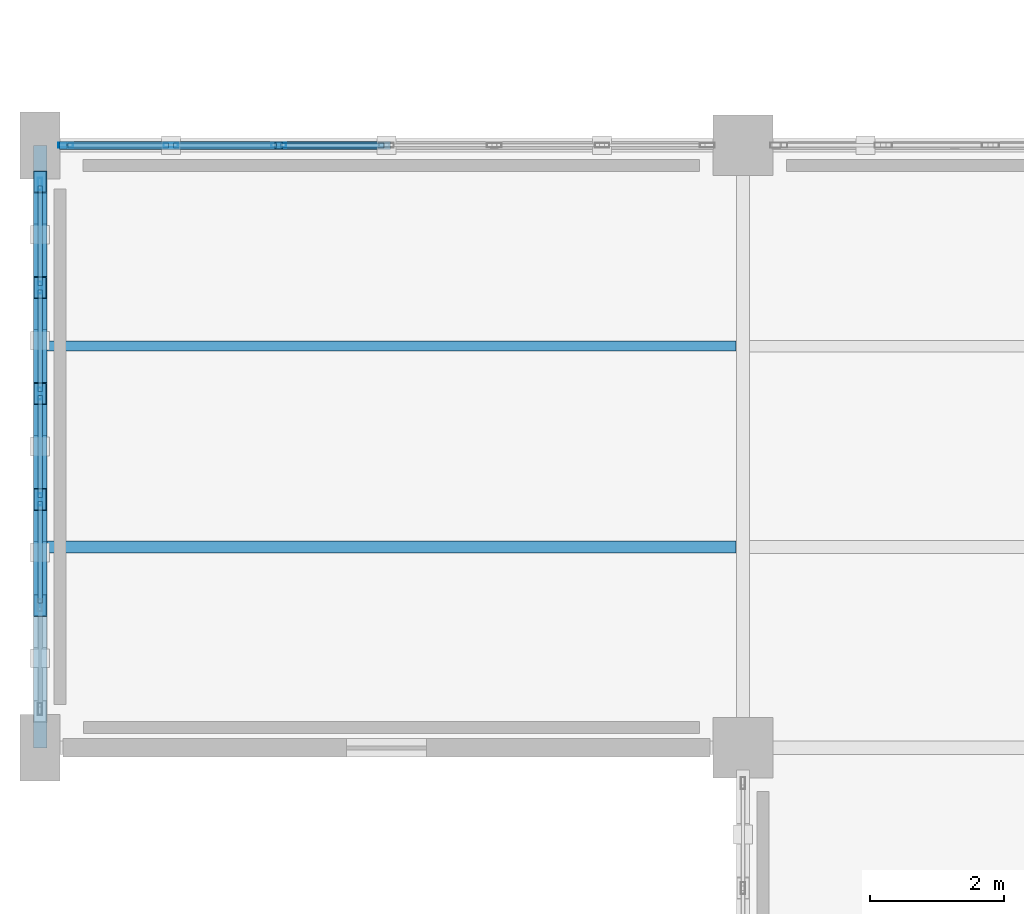
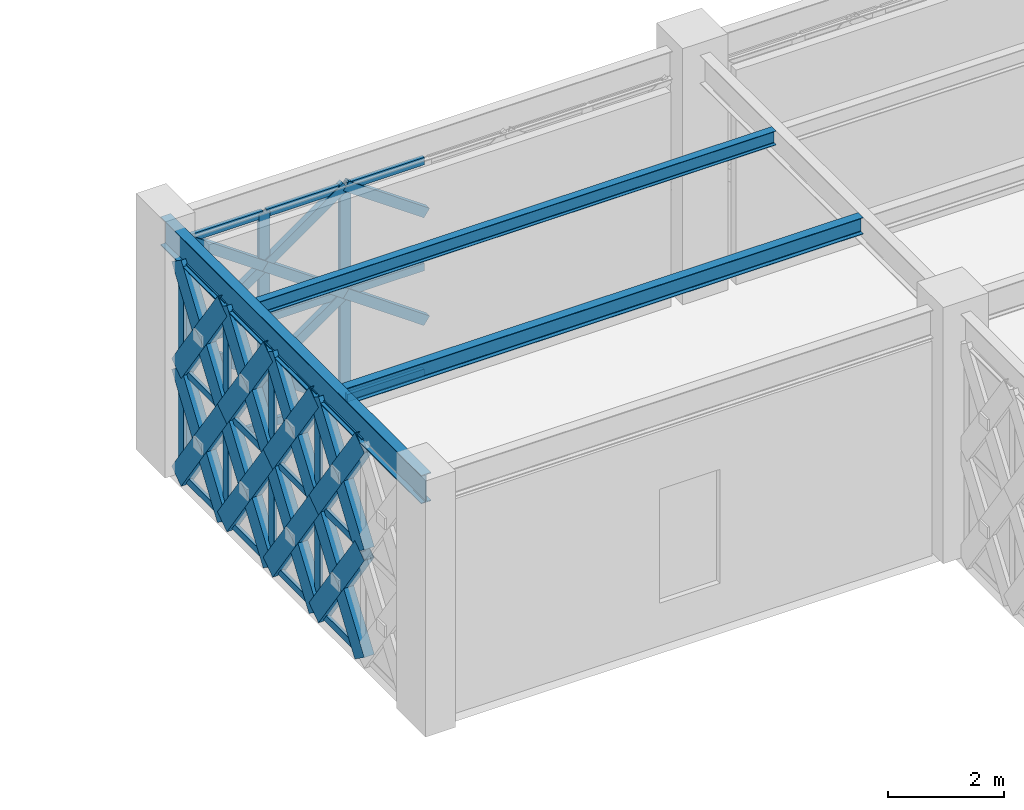
# One storey, part 14 of 166: 60 members, 3 beams, 2 elements without a shape of their own.
"""IFC4 building model written with IfcOpenShell, lengths in metres."""

from ifc_helpers import new_model, si_unit, direction, frame, origin, origin_2d, place, context, subcontext, project, spatial, hollow_rectangle, i_section, extrude, material, material_profile, profile_set, type_object, element, aggregate, save


model = new_model("IFC4")

# Units and contexts
model_context = context("Model", 3, precision=1e-05, world=origin(), true_north=direction((0.0, 1.0)))
body_context = subcontext(model_context, "Body", "Model", "MODEL_VIEW")
ifc_project = project(units=[si_unit("LENGTHUNIT", "METRE"), si_unit("AREAUNIT", "SQUARE_METRE"), si_unit("VOLUMEUNIT", "CUBIC_METRE"), si_unit("PLANEANGLEUNIT", "RADIAN"), si_unit("MASSUNIT", "GRAM", prefix="KILO")], contexts=[model_context])

# Site, building, storey
site_placement = place(None, origin())
site = spatial("IfcSite", under=ifc_project, at=site_placement, CompositionType="ELEMENT")
building_placement = place(site_placement, origin())
building = spatial("IfcBuilding", under=site, at=building_placement, Name="Haizhuo Lancet Aquarium", CompositionType="ELEMENT")
storey_placement = place(building_placement, frame((0.0, 0.0, 5.39990234375)))
storey = spatial("IfcBuildingStorey", under=building, at=storey_placement, Name="L01", CompositionType="ELEMENT", Elevation=5.39990234375)

# Beam
ifc_material_1 = material(Name="Steel S355", Category="steel")
ifc_material_profile_1 = material_profile(ifc_material_1, i_section(OverallWidth=0.199951171875, OverallDepth=0.60009765625, WebThickness=0.010986328125, FlangeThickness=0.01708984375, FilletRadius=0.02197265625, at=origin_2d()), Name="HN 600x200x11x17")
ifc_profile_set_1 = profile_set([ifc_material_profile_1], Name="Steel S355")
beam_type_1 = type_object("IfcBeamType", Name="BM-ST-HN600", PredefinedType="BEAM", material=ifc_profile_set_1)
beam_1_placement = place(storey_placement, frame((-82.5, -18.0, 4.840087890625), z_axis=(0.0, 1.0, 0.0), x_axis=(-1.0, 0.0, 0.0)))
element("IfcBeam", 1, at=beam_1_placement, inside=storey, type_object=beam_type_1, Name="L01 V6 primary girder BM-L01-V6-001", PredefinedType="BEAM", context=body_context, shape_type="SweptSolid", body=[
    extrude(i_section(OverallWidth=0.199951171875, OverallDepth=0.60009765625, WebThickness=0.010986328125, FlangeThickness=0.01708984375, FilletRadius=0.02197265625, at=origin_2d()), origin(), (0.0, 0.0, 1.0), 9.0),
])

# Curtain wall, members
ifc_material_2 = material(Name="Aluminium 6063-T6", Category="aluminium")
curtain_wall_type_1 = type_object("IfcCurtainWallType", Name="CWD-7910x4540", PredefinedType="NOTDEFINED", material=ifc_material_2)
curtain_wall_1_placement = place(storey_placement, origin())
curtain_wall_1 = element("IfcCurtainWall", 2, at=curtain_wall_1_placement, inside=storey, type_object=curtain_wall_type_1, Name="L01 curtain wall CW-V6-L01-202", PredefinedType="NOTDEFINED")
ifc_material_profile_2 = material_profile(ifc_material_2, hollow_rectangle(XDim=0.06494140625, YDim=0.179931640625, WallThickness=0.00390625, at=origin_2d()), Name="ALU-M 65x180x4")
ifc_profile_set_2 = profile_set([ifc_material_profile_2], Name="Aluminium 6063-T6")
member_type_1 = type_object("IfcMemberType", Name="CW-MUL-1", PredefinedType="MULLION", material=ifc_profile_set_2)
member_1_placement = place(storey_placement, frame((-82.5, -14.291015625, 0.0), z_axis=(0.0, 0.0, 1.0), x_axis=(-1.0, 0.0, 0.0)))
member_1 = element("IfcMember", 3, at=member_1_placement, type_object=member_type_1, Name="CWD-79x45 mullion 3", PredefinedType="MULLION", context=body_context, shape_type="SweptSolid", body=[
    extrude(hollow_rectangle(XDim=0.06494140625, YDim=0.179931640625, WallThickness=0.00390625, at=origin_2d()), origin(), (0.0, 0.0, 1.0), 4.5400390625),
])
member_2_placement = place(storey_placement, frame((-82.5, -12.708984375, 0.0), z_axis=(0.0, 0.0, 1.0), x_axis=(-1.0, 0.0, 0.0)))
member_2 = element("IfcMember", 4, at=member_2_placement, type_object=member_type_1, Name="CWD-79x45 mullion 4", PredefinedType="MULLION", context=body_context, shape_type="SweptSolid", body=[
    extrude(hollow_rectangle(XDim=0.06494140625, YDim=0.179931640625, WallThickness=0.00390625, at=origin_2d()), origin(), (0.0, 0.0, 1.0), 4.5400390625),
])
member_3_placement = place(storey_placement, frame((-82.5, -11.126953125, 0.0), z_axis=(0.0, 0.0, 1.0), x_axis=(-1.0, 0.0, 0.0)))
member_3 = element("IfcMember", 5, at=member_3_placement, type_object=member_type_1, Name="CWD-79x45 mullion 5", PredefinedType="MULLION", context=body_context, shape_type="SweptSolid", body=[
    extrude(hollow_rectangle(XDim=0.06494140625, YDim=0.179931640625, WallThickness=0.00390625, at=origin_2d()), origin(), (0.0, 0.0, 1.0), 4.5400390625),
])
member_4_placement = place(storey_placement, frame((-82.5, -9.577880859375, 0.0), z_axis=(0.0, 0.0, 1.0), x_axis=(-1.0, 0.0, 0.0)))
member_4 = element("IfcMember", 6, at=member_4_placement, type_object=member_type_1, Name="CWD-79x45 mullion 6", PredefinedType="MULLION", context=body_context, shape_type="SweptSolid", body=[
    extrude(hollow_rectangle(XDim=0.06494140625, YDim=0.179931640625, WallThickness=0.00390625, at=origin_2d()), origin(), (0.0, 0.0, 1.0), 4.5400390625),
])

curtain_wall_type_2 = type_object("IfcCurtainWallType", Name="CWO-9660x4540", PredefinedType="NOTDEFINED", material=ifc_material_2)
curtain_wall_2_placement = place(storey_placement, origin())
curtain_wall_2 = element("IfcCurtainWall", 7, at=curtain_wall_2_placement, inside=storey, type_object=curtain_wall_type_2, Name="L01 curtain wall CW-V6-L01-203", PredefinedType="NOTDEFINED")
ifc_material_profile_3 = material_profile(ifc_material_2, hollow_rectangle(XDim=0.074951171875, YDim=0.219970703125, WallThickness=0.0048828125, at=origin_2d()), Name="ALU-M 75x220x5")
ifc_profile_set_3 = profile_set([ifc_material_profile_3], Name="Aluminium 6063-T6")
member_type_2 = type_object("IfcMemberType", Name="CW-MUL-2", PredefinedType="MULLION", material=ifc_profile_set_3)
member_5_placement = place(storey_placement, frame((-82.117919921875, -9.0, 0.0), z_axis=(0.0, 0.0, 1.0), x_axis=(0.0, 1.0, 0.0)))
member_5 = element("IfcMember", 8, at=member_5_placement, type_object=member_type_2, Name="CWO-96x45 mullion 1", PredefinedType="MULLION", context=body_context, shape_type="SweptSolid", body=[
    extrude(hollow_rectangle(XDim=0.074951171875, YDim=0.219970703125, WallThickness=0.0048828125, at=origin_2d()), origin(), (0.0, 0.0, 1.0), 4.5400390625),
])
member_6_placement = place(storey_placement, frame((-80.544921875, -9.0, 0.0), z_axis=(0.0, 0.0, 1.0), x_axis=(0.0, 1.0, 0.0)))
member_6 = element("IfcMember", 9, at=member_6_placement, type_object=member_type_2, Name="CWO-96x45 mullion 2", PredefinedType="MULLION", context=body_context, shape_type="SweptSolid", body=[
    extrude(hollow_rectangle(XDim=0.074951171875, YDim=0.219970703125, WallThickness=0.0048828125, at=origin_2d()), origin(), (0.0, 0.0, 1.0), 4.5400390625),
])
member_7_placement = place(storey_placement, frame((-78.93505859375, -9.0, 0.0), z_axis=(0.0, 0.0, 1.0), x_axis=(0.0, 1.0, 0.0)))
member_7 = element("IfcMember", 10, at=member_7_placement, type_object=member_type_2, Name="CWO-96x45 mullion 3", PredefinedType="MULLION", context=body_context, shape_type="SweptSolid", body=[
    extrude(hollow_rectangle(XDim=0.074951171875, YDim=0.219970703125, WallThickness=0.0048828125, at=origin_2d()), origin(), (0.0, 0.0, 1.0), 4.5400390625),
])

# Member
ifc_material_profile_4 = material_profile(ifc_material_2, hollow_rectangle(XDim=0.06494140625, YDim=0.139892578125, WallThickness=0.00390625, at=origin_2d()), Name="ALU-T 65x140x4")
ifc_profile_set_4 = profile_set([ifc_material_profile_4], Name="Aluminium 6063-T6")
member_type_3 = type_object("IfcMemberType", Name="CW-TRN-1", PredefinedType="NOTDEFINED", material=ifc_profile_set_4)
member_8_placement = place(storey_placement, frame((-82.5, -15.840087890625, 0.033203125), z_axis=(0.0, 1.0, 0.0), x_axis=(-1.0, 0.0, 0.0)))
member_8 = element("IfcMember", 11, at=member_8_placement, type_object=member_type_3, Name="CWD-79x45 transom 2.1", ObjectType="TRANSOM", PredefinedType="USERDEFINED", context=body_context, shape_type="SweptSolid", body=[
    extrude(hollow_rectangle(XDim=0.06494140625, YDim=0.139892578125, WallThickness=0.00390625, at=origin_2d()), origin(), (0.0, 0.0, 1.0), 1.51708984375),
])

member_9_placement = place(storey_placement, frame((-82.5, -15.840087890625, 2.27001953125), z_axis=(0.0, 1.0, 0.0), x_axis=(-1.0, 0.0, 0.0)))
member_9 = element("IfcMember", 12, at=member_9_placement, type_object=member_type_3, Name="CWD-79x45 transom 2.2", ObjectType="TRANSOM", PredefinedType="USERDEFINED", context=body_context, shape_type="SweptSolid", body=[
    extrude(hollow_rectangle(XDim=0.06494140625, YDim=0.139892578125, WallThickness=0.00390625, at=origin_2d()), origin(), (0.0, 0.0, 1.0), 1.51708984375),
])

member_10_placement = place(storey_placement, frame((-82.5, -15.840087890625, 4.507080078125), z_axis=(0.0, 1.0, 0.0), x_axis=(-1.0, 0.0, 0.0)))
member_10 = element("IfcMember", 13, at=member_10_placement, type_object=member_type_3, Name="CWD-79x45 transom 2.3", ObjectType="TRANSOM", PredefinedType="USERDEFINED", context=body_context, shape_type="SweptSolid", body=[
    extrude(hollow_rectangle(XDim=0.06494140625, YDim=0.139892578125, WallThickness=0.00390625, at=origin_2d()), origin(), (0.0, 0.0, 1.0), 1.51708984375),
])

member_11_placement = place(storey_placement, frame((-82.5, -14.258056640625, 0.033203125), z_axis=(0.0, 1.0, 0.0), x_axis=(-1.0, 0.0, 0.0)))
member_11 = element("IfcMember", 14, at=member_11_placement, type_object=member_type_3, Name="CWD-79x45 transom 3.1", ObjectType="TRANSOM", PredefinedType="USERDEFINED", context=body_context, shape_type="SweptSolid", body=[
    extrude(hollow_rectangle(XDim=0.06494140625, YDim=0.139892578125, WallThickness=0.00390625, at=origin_2d()), origin(), (0.0, 0.0, 1.0), 1.51708984375),
])

member_12_placement = place(storey_placement, frame((-82.5, -14.258056640625, 2.27001953125), z_axis=(0.0, 1.0, 0.0), x_axis=(-1.0, 0.0, 0.0)))
member_12 = element("IfcMember", 15, at=member_12_placement, type_object=member_type_3, Name="CWD-79x45 transom 3.2", ObjectType="TRANSOM", PredefinedType="USERDEFINED", context=body_context, shape_type="SweptSolid", body=[
    extrude(hollow_rectangle(XDim=0.06494140625, YDim=0.139892578125, WallThickness=0.00390625, at=origin_2d()), origin(), (0.0, 0.0, 1.0), 1.51708984375),
])

member_13_placement = place(storey_placement, frame((-82.5, -14.258056640625, 4.507080078125), z_axis=(0.0, 1.0, 0.0), x_axis=(-1.0, 0.0, 0.0)))
member_13 = element("IfcMember", 16, at=member_13_placement, type_object=member_type_3, Name="CWD-79x45 transom 3.3", ObjectType="TRANSOM", PredefinedType="USERDEFINED", context=body_context, shape_type="SweptSolid", body=[
    extrude(hollow_rectangle(XDim=0.06494140625, YDim=0.139892578125, WallThickness=0.00390625, at=origin_2d()), origin(), (0.0, 0.0, 1.0), 1.51708984375),
])

member_14_placement = place(storey_placement, frame((-82.5, -12.677001953125, 0.033203125), z_axis=(0.0, 1.0, 0.0), x_axis=(-1.0, 0.0, 0.0)))
member_14 = element("IfcMember", 17, at=member_14_placement, type_object=member_type_3, Name="CWD-79x45 transom 4.1", ObjectType="TRANSOM", PredefinedType="USERDEFINED", context=body_context, shape_type="SweptSolid", body=[
    extrude(hollow_rectangle(XDim=0.06494140625, YDim=0.139892578125, WallThickness=0.00390625, at=origin_2d()), origin(), (0.0, 0.0, 1.0), 1.51806640625),
])

member_15_placement = place(storey_placement, frame((-82.5, -12.677001953125, 2.27001953125), z_axis=(0.0, 1.0, 0.0), x_axis=(-1.0, 0.0, 0.0)))
member_15 = element("IfcMember", 18, at=member_15_placement, type_object=member_type_3, Name="CWD-79x45 transom 4.2", ObjectType="TRANSOM", PredefinedType="USERDEFINED", context=body_context, shape_type="SweptSolid", body=[
    extrude(hollow_rectangle(XDim=0.06494140625, YDim=0.139892578125, WallThickness=0.00390625, at=origin_2d()), origin(), (0.0, 0.0, 1.0), 1.51806640625),
])

member_16_placement = place(storey_placement, frame((-82.5, -12.677001953125, 4.507080078125), z_axis=(0.0, 1.0, 0.0), x_axis=(-1.0, 0.0, 0.0)))
member_16 = element("IfcMember", 19, at=member_16_placement, type_object=member_type_3, Name="CWD-79x45 transom 4.3", ObjectType="TRANSOM", PredefinedType="USERDEFINED", context=body_context, shape_type="SweptSolid", body=[
    extrude(hollow_rectangle(XDim=0.06494140625, YDim=0.139892578125, WallThickness=0.00390625, at=origin_2d()), origin(), (0.0, 0.0, 1.0), 1.51806640625),
])

member_17_placement = place(storey_placement, frame((-82.5, -11.094970703125, 0.033203125), z_axis=(0.0, 1.0, 0.0), x_axis=(-1.0, 0.0, 0.0)))
member_17 = element("IfcMember", 20, at=member_17_placement, type_object=member_type_3, Name="CWD-79x45 transom 5.1", ObjectType="TRANSOM", PredefinedType="USERDEFINED", context=body_context, shape_type="SweptSolid", body=[
    extrude(hollow_rectangle(XDim=0.06494140625, YDim=0.139892578125, WallThickness=0.00390625, at=origin_2d()), origin(), (0.0, 0.0, 1.0), 1.48486328125),
])

member_18_placement = place(storey_placement, frame((-82.5, -11.094970703125, 2.27001953125), z_axis=(0.0, 1.0, 0.0), x_axis=(-1.0, 0.0, 0.0)))
member_18 = element("IfcMember", 21, at=member_18_placement, type_object=member_type_3, Name="CWD-79x45 transom 5.2", ObjectType="TRANSOM", PredefinedType="USERDEFINED", context=body_context, shape_type="SweptSolid", body=[
    extrude(hollow_rectangle(XDim=0.06494140625, YDim=0.139892578125, WallThickness=0.00390625, at=origin_2d()), origin(), (0.0, 0.0, 1.0), 1.48486328125),
])

member_19_placement = place(storey_placement, frame((-82.5, -11.094970703125, 4.507080078125), z_axis=(0.0, 1.0, 0.0), x_axis=(-1.0, 0.0, 0.0)))
member_19 = element("IfcMember", 22, at=member_19_placement, type_object=member_type_3, Name="CWD-79x45 transom 5.3", ObjectType="TRANSOM", PredefinedType="USERDEFINED", context=body_context, shape_type="SweptSolid", body=[
    extrude(hollow_rectangle(XDim=0.06494140625, YDim=0.139892578125, WallThickness=0.00390625, at=origin_2d()), origin(), (0.0, 0.0, 1.0), 1.48486328125),
])

aggregate(curtain_wall_1, [member_1, member_2, member_3, member_4, member_8, member_9, member_10, member_11, member_12, member_13, member_14, member_15, member_16, member_17, member_18, member_19])

ifc_material_profile_5 = material_profile(ifc_material_2, hollow_rectangle(XDim=0.074951171875, YDim=0.159912109375, WallThickness=0.00390625, at=origin_2d()), Name="ALU-T 75x160x4")
ifc_profile_set_5 = profile_set([ifc_material_profile_5], Name="Aluminium 6063-T6")
member_type_4 = type_object("IfcMemberType", Name="CW-TRN-2", PredefinedType="NOTDEFINED", material=ifc_profile_set_5)
member_20_placement = place(storey_placement, frame((-82.080078125, -9.0, 0.0380859375), z_axis=(1.0, 0.0, 0.0), x_axis=(0.0, 1.0, 0.0)))
member_20 = element("IfcMember", 23, at=member_20_placement, type_object=member_type_4, Name="CWO-96x45 transom 1.1", ObjectType="TRANSOM", PredefinedType="USERDEFINED", context=body_context, shape_type="SweptSolid", body=[
    extrude(hollow_rectangle(XDim=0.074951171875, YDim=0.159912109375, WallThickness=0.00390625, at=origin_2d()), origin(), (0.0, 0.0, 1.0), 1.498046875),
])

member_21_placement = place(storey_placement, frame((-82.080078125, -9.0, 2.27001953125), z_axis=(1.0, 0.0, 0.0), x_axis=(0.0, 1.0, 0.0)))
member_21 = element("IfcMember", 24, at=member_21_placement, type_object=member_type_4, Name="CWO-96x45 transom 1.2", ObjectType="TRANSOM", PredefinedType="USERDEFINED", context=body_context, shape_type="SweptSolid", body=[
    extrude(hollow_rectangle(XDim=0.074951171875, YDim=0.159912109375, WallThickness=0.00390625, at=origin_2d()), origin(), (0.0, 0.0, 1.0), 1.498046875),
])

member_22_placement = place(storey_placement, frame((-82.080078125, -9.0, 4.502197265625), z_axis=(1.0, 0.0, 0.0), x_axis=(0.0, 1.0, 0.0)))
member_22 = element("IfcMember", 25, at=member_22_placement, type_object=member_type_4, Name="CWO-96x45 transom 1.3", ObjectType="TRANSOM", PredefinedType="USERDEFINED", context=body_context, shape_type="SweptSolid", body=[
    extrude(hollow_rectangle(XDim=0.074951171875, YDim=0.159912109375, WallThickness=0.00390625, at=origin_2d()), origin(), (0.0, 0.0, 1.0), 1.498046875),
])

member_23_placement = place(storey_placement, frame((-80.508056640625, -9.0, 0.0380859375), z_axis=(1.0, 0.0, 0.0), x_axis=(0.0, 1.0, 0.0)))
member_23 = element("IfcMember", 26, at=member_23_placement, type_object=member_type_4, Name="CWO-96x45 transom 2.1", ObjectType="TRANSOM", PredefinedType="USERDEFINED", context=body_context, shape_type="SweptSolid", body=[
    extrude(hollow_rectangle(XDim=0.074951171875, YDim=0.159912109375, WallThickness=0.00390625, at=origin_2d()), origin(), (0.0, 0.0, 1.0), 1.5361328125),
])

member_24_placement = place(storey_placement, frame((-80.508056640625, -9.0, 2.27001953125), z_axis=(1.0, 0.0, 0.0), x_axis=(0.0, 1.0, 0.0)))
member_24 = element("IfcMember", 27, at=member_24_placement, type_object=member_type_4, Name="CWO-96x45 transom 2.2", ObjectType="TRANSOM", PredefinedType="USERDEFINED", context=body_context, shape_type="SweptSolid", body=[
    extrude(hollow_rectangle(XDim=0.074951171875, YDim=0.159912109375, WallThickness=0.00390625, at=origin_2d()), origin(), (0.0, 0.0, 1.0), 1.5361328125),
])

member_25_placement = place(storey_placement, frame((-80.508056640625, -9.0, 4.502197265625), z_axis=(1.0, 0.0, 0.0), x_axis=(0.0, 1.0, 0.0)))
member_25 = element("IfcMember", 28, at=member_25_placement, type_object=member_type_4, Name="CWO-96x45 transom 2.3", ObjectType="TRANSOM", PredefinedType="USERDEFINED", context=body_context, shape_type="SweptSolid", body=[
    extrude(hollow_rectangle(XDim=0.074951171875, YDim=0.159912109375, WallThickness=0.00390625, at=origin_2d()), origin(), (0.0, 0.0, 1.0), 1.5361328125),
])

member_26_placement = place(storey_placement, frame((-78.89794921875, -9.0, 0.0380859375), z_axis=(1.0, 0.0, 0.0), x_axis=(0.0, 1.0, 0.0)))
member_26 = element("IfcMember", 29, at=member_26_placement, type_object=member_type_4, Name="CWO-96x45 transom 3.1", ObjectType="TRANSOM", PredefinedType="USERDEFINED", context=body_context, shape_type="SweptSolid", body=[
    extrude(hollow_rectangle(XDim=0.074951171875, YDim=0.159912109375, WallThickness=0.00390625, at=origin_2d()), origin(), (0.0, 0.0, 1.0), 1.535888671875),
])

member_27_placement = place(storey_placement, frame((-78.89794921875, -9.0, 2.27001953125), z_axis=(1.0, 0.0, 0.0), x_axis=(0.0, 1.0, 0.0)))
member_27 = element("IfcMember", 30, at=member_27_placement, type_object=member_type_4, Name="CWO-96x45 transom 3.2", ObjectType="TRANSOM", PredefinedType="USERDEFINED", context=body_context, shape_type="SweptSolid", body=[
    extrude(hollow_rectangle(XDim=0.074951171875, YDim=0.159912109375, WallThickness=0.00390625, at=origin_2d()), origin(), (0.0, 0.0, 1.0), 1.535888671875),
])

member_28_placement = place(storey_placement, frame((-78.89794921875, -9.0, 4.502197265625), z_axis=(1.0, 0.0, 0.0), x_axis=(0.0, 1.0, 0.0)))
member_28 = element("IfcMember", 31, at=member_28_placement, type_object=member_type_4, Name="CWO-96x45 transom 3.3", ObjectType="TRANSOM", PredefinedType="USERDEFINED", context=body_context, shape_type="SweptSolid", body=[
    extrude(hollow_rectangle(XDim=0.074951171875, YDim=0.159912109375, WallThickness=0.00390625, at=origin_2d()), origin(), (0.0, 0.0, 1.0), 1.535888671875),
])

aggregate(curtain_wall_2, [member_5, member_6, member_7, member_20, member_21, member_22, member_23, member_24, member_25, member_26, member_27, member_28])

# Beams
ifc_material_profile_6 = material_profile(ifc_material_1, i_section(OverallWidth=0.14990234375, OverallDepth=0.300048828125, WebThickness=0.006591796875, FlangeThickness=0.009033203125, FilletRadius=0.012939453125, at=origin_2d()), Name="HN 300x150x6.5x9")
ifc_profile_set_6 = profile_set([ifc_material_profile_6], Name="Steel S355")
beam_type_2 = type_object("IfcBeamType", Name="JST-ST-HN300", PredefinedType="JOIST", material=ifc_profile_set_6)
beam_2_placement = place(storey_placement, frame((-82.39990234375, -12.0, 4.989990234375), z_axis=(1.0, 0.0, 0.0), x_axis=(0.0, 1.0, 0.0)))
element("IfcBeam", 32, at=beam_2_placement, inside=storey, type_object=beam_type_2, Name="L01 V6 secondary floor joist 2", PredefinedType="JOIST", context=body_context, shape_type="SweptSolid", body=[
    extrude(i_section(OverallWidth=0.14990234375, OverallDepth=0.300048828125, WebThickness=0.006591796875, FlangeThickness=0.009033203125, FilletRadius=0.012939453125, at=origin_2d()), origin(), (0.0, 0.0, 1.0), 10.2998046875),
])
ifc_material_profile_7 = material_profile(ifc_material_1, i_section(OverallWidth=0.175048828125, OverallDepth=0.35009765625, WebThickness=0.007080078125, FlangeThickness=0.010986328125, FilletRadius=0.013916015625, at=origin_2d()), Name="HN 350x175x7x11")
ifc_profile_set_7 = profile_set([ifc_material_profile_7], Name="Steel S355")
beam_type_3 = type_object("IfcBeamType", Name="JST-ST-HN350", PredefinedType="JOIST", material=ifc_profile_set_7)
beam_3_placement = place(storey_placement, frame((-82.39990234375, -15.0, 4.965087890625), z_axis=(1.0, 0.0, 0.0), x_axis=(0.0, 1.0, 0.0)))
element("IfcBeam", 33, at=beam_3_placement, inside=storey, type_object=beam_type_3, Name="L01 V6 secondary floor joist 1", PredefinedType="JOIST", context=body_context, shape_type="SweptSolid", body=[
    extrude(i_section(OverallWidth=0.175048828125, OverallDepth=0.35009765625, WebThickness=0.007080078125, FlangeThickness=0.010986328125, FilletRadius=0.013916015625, at=origin_2d()), origin(), (0.0, 0.0, 1.0), 10.2998046875),
])

# Members
ifc_material_profile_8 = material_profile(ifc_material_1, hollow_rectangle(XDim=0.1201171875, YDim=0.199951171875, WallThickness=0.008056640625, at=origin_2d()), Name="RHS 120x200x8")
ifc_profile_set_8 = profile_set([ifc_material_profile_8], Name="Steel S355")
member_type_5 = type_object("IfcMemberType", Name="MEM-LB-RHS120x200", PredefinedType="BRACE", material=ifc_profile_set_8)
member_29_placement = place(storey_placement, frame((-82.155029296875, -9.0, 0.0), z_axis=(0.817314629678, 0.0, 0.576191631416), x_axis=(0.0, 1.0, 0.0)))
element("IfcMember", 34, at=member_29_placement, inside=storey, type_object=member_type_5, Name="Gothic lancet continuous diagonal brace CW-V6-L01-203 1A", PredefinedType="BRACE", context=body_context, shape_type="SweptSolid", body=[
    extrude(hollow_rectangle(XDim=0.1201171875, YDim=0.199951171875, WallThickness=0.008056640625, at=origin_2d()), origin(), (0.0, 0.0, 1.0), 3.939697265625),
])
member_30_placement = place(storey_placement, frame((-78.93505859375, -9.0, 0.0), z_axis=(-0.817294054467, 0.0, 0.576220815775), x_axis=(0.0, -1.0, 0.0)))
element("IfcMember", 35, at=member_30_placement, inside=storey, type_object=member_type_5, Name="Gothic lancet split diagonal brace CW-V6-L01-203 1B1", PredefinedType="BRACE", context=body_context, shape_type="SweptSolid", body=[
    extrude(hollow_rectangle(XDim=0.1201171875, YDim=0.199951171875, WallThickness=0.008056640625, at=origin_2d()), origin(), (0.0, 0.0, 1.0), 1.9697265625),
])
member_31_placement = place(storey_placement, frame((-80.544921875, -9.0, 1.135009765625), z_axis=(-0.817335201763, 0.0, 0.576162449279), x_axis=(0.0, -1.0, 0.0)))
element("IfcMember", 36, at=member_31_placement, inside=storey, type_object=member_type_5, Name="Gothic lancet split diagonal brace CW-V6-L01-203 1B2", PredefinedType="BRACE", context=body_context, shape_type="SweptSolid", body=[
    extrude(hollow_rectangle(XDim=0.1201171875, YDim=0.199951171875, WallThickness=0.008056640625, at=origin_2d()), origin(), (0.0, 0.0, 1.0), 1.969970703125),
])
member_32_placement = place(storey_placement, frame((-82.155029296875, -9.0, 2.27001953125), z_axis=(0.817314629678, 0.0, 0.576191631416), x_axis=(0.0, 1.0, 0.0)))
element("IfcMember", 37, at=member_32_placement, inside=storey, type_object=member_type_5, Name="Gothic lancet continuous diagonal brace CW-V6-L01-203 2A", PredefinedType="BRACE", context=body_context, shape_type="SweptSolid", body=[
    extrude(hollow_rectangle(XDim=0.1201171875, YDim=0.199951171875, WallThickness=0.008056640625, at=origin_2d()), origin(), (0.0, 0.0, 1.0), 3.939697265625),
])
member_33_placement = place(storey_placement, frame((-78.93505859375, -9.0, 2.27001953125), z_axis=(-0.817294054467, 0.0, 0.576220815775), x_axis=(0.0, -1.0, 0.0)))
element("IfcMember", 38, at=member_33_placement, inside=storey, type_object=member_type_5, Name="Gothic lancet split diagonal brace CW-V6-L01-203 2B1", PredefinedType="BRACE", context=body_context, shape_type="SweptSolid", body=[
    extrude(hollow_rectangle(XDim=0.1201171875, YDim=0.199951171875, WallThickness=0.008056640625, at=origin_2d()), origin(), (0.0, 0.0, 1.0), 1.9697265625),
])
for number, where, z_axis, x_axis, name in (
    (39, (-80.544921875, -9.0, 3.405029296875), (-0.817335201763, 0.0, 0.576162449279), (0.0, -1.0, 0.0), "Gothic lancet split diagonal brace CW-V6-L01-203 2B2"),
    (40, (-77.324951171875, -9.0, 1.135009765625), (-0.817335201763, 0.0, 0.576162449279), (0.0, -1.0, 0.0), "Gothic lancet split diagonal brace CW-V6-L01-203 3B2"),
    (41, (-77.324951171875, -9.0, 3.405029296875), (-0.817335201763, 0.0, 0.576162449279), (0.0, -1.0, 0.0), "Gothic lancet split diagonal brace CW-V6-L01-203 4B2"),
):
    element("IfcMember", number, at=place(storey_placement, frame(where, z_axis=z_axis, x_axis=x_axis)), inside=storey, type_object=member_type_5, Name=name, PredefinedType="BRACE", context=body_context, shape_type="SweptSolid", body=[
        extrude(hollow_rectangle(XDim=0.1201171875, YDim=0.199951171875, WallThickness=0.008056640625, at=origin_2d()), origin(), (0.0, 0.0, 1.0), 1.969970703125),
    ])
ifc_material_profile_9 = material_profile(ifc_material_1, hollow_rectangle(XDim=0.199951171875, YDim=0.39990234375, WallThickness=0.011962890625, at=origin_2d()), Name="RHS 200x400x12")
ifc_profile_set_9 = profile_set([ifc_material_profile_9], Name="Steel S355")
member_type_6 = type_object("IfcMemberType", Name="MEM-LB-RHS200x400", PredefinedType="BRACE", material=ifc_profile_set_9)
member_34_placement = place(storey_placement, frame((-82.5, -15.873046875, 0.0), z_axis=(0.0, 0.571767466794, 0.820415726273), x_axis=(-1.0, 0.0, 0.0)))
element("IfcMember", 42, at=member_34_placement, inside=storey, type_object=member_type_6, Name="Gothic lancet continuous diagonal brace CW-V6-L01-202 3A", PredefinedType="BRACE", context=body_context, shape_type="SweptSolid", body=[
    extrude(hollow_rectangle(XDim=0.199951171875, YDim=0.39990234375, WallThickness=0.011962890625, at=origin_2d()), origin(), (0.0, 0.0, 1.0), 2.766845703125),
])
for number, where, z_axis, x_axis, name in (
    (43, (-82.5, -14.291015625, 0.0), (0.0, -0.571767466794, 0.820415726273), (1.0, 0.0, 0.0), "Gothic lancet split diagonal brace CW-V6-L01-202 3B1"),
    (44, (-82.5, -15.08203125, 1.135009765625), (0.0, -0.571767466794, 0.820415726273), (1.0, 0.0, 0.0), "Gothic lancet split diagonal brace CW-V6-L01-202 3B2"),
):
    element("IfcMember", number, at=place(storey_placement, frame(where, z_axis=z_axis, x_axis=x_axis)), inside=storey, type_object=member_type_6, Name=name, PredefinedType="BRACE", context=body_context, shape_type="SweptSolid", body=[
        extrude(hollow_rectangle(XDim=0.199951171875, YDim=0.39990234375, WallThickness=0.011962890625, at=origin_2d()), origin(), (0.0, 0.0, 1.0), 1.383544921875),
    ])
member_35_placement = place(storey_placement, frame((-82.5, -15.873046875, 2.27001953125), z_axis=(0.0, 0.571767466794, 0.820415726273), x_axis=(-1.0, 0.0, 0.0)))
element("IfcMember", 45, at=member_35_placement, inside=storey, type_object=member_type_6, Name="Gothic lancet continuous diagonal brace CW-V6-L01-202 4A", PredefinedType="BRACE", context=body_context, shape_type="SweptSolid", body=[
    extrude(hollow_rectangle(XDim=0.199951171875, YDim=0.39990234375, WallThickness=0.011962890625, at=origin_2d()), origin(), (0.0, 0.0, 1.0), 2.766845703125),
])
for number, where, z_axis, x_axis, name in (
    (46, (-82.5, -14.291015625, 2.27001953125), (0.0, -0.571767466794, 0.820415726273), (1.0, 0.0, 0.0), "Gothic lancet split diagonal brace CW-V6-L01-202 4B1"),
    (47, (-82.5, -15.08203125, 3.405029296875), (0.0, -0.571767466794, 0.820415726273), (1.0, 0.0, 0.0), "Gothic lancet split diagonal brace CW-V6-L01-202 4B2"),
):
    element("IfcMember", number, at=place(storey_placement, frame(where, z_axis=z_axis, x_axis=x_axis)), inside=storey, type_object=member_type_6, Name=name, PredefinedType="BRACE", context=body_context, shape_type="SweptSolid", body=[
        extrude(hollow_rectangle(XDim=0.199951171875, YDim=0.39990234375, WallThickness=0.011962890625, at=origin_2d()), origin(), (0.0, 0.0, 1.0), 1.383544921875),
    ])
member_36_placement = place(storey_placement, frame((-82.5, -14.291015625, 0.0), z_axis=(0.0, 0.571767466794, 0.820415726273), x_axis=(-1.0, 0.0, 0.0)))
element("IfcMember", 48, at=member_36_placement, inside=storey, type_object=member_type_6, Name="Gothic lancet continuous diagonal brace CW-V6-L01-202 5A", PredefinedType="BRACE", context=body_context, shape_type="SweptSolid", body=[
    extrude(hollow_rectangle(XDim=0.199951171875, YDim=0.39990234375, WallThickness=0.011962890625, at=origin_2d()), origin(), (0.0, 0.0, 1.0), 2.766845703125),
])
for number, where, z_axis, x_axis, name in (
    (49, (-82.5, -12.708984375, 0.0), (0.0, -0.571767466794, 0.820415726273), (1.0, 0.0, 0.0), "Gothic lancet split diagonal brace CW-V6-L01-202 5B1"),
    (50, (-82.5, -13.5, 1.135009765625), (0.0, -0.571767466794, 0.820415726273), (1.0, 0.0, 0.0), "Gothic lancet split diagonal brace CW-V6-L01-202 5B2"),
):
    element("IfcMember", number, at=place(storey_placement, frame(where, z_axis=z_axis, x_axis=x_axis)), inside=storey, type_object=member_type_6, Name=name, PredefinedType="BRACE", context=body_context, shape_type="SweptSolid", body=[
        extrude(hollow_rectangle(XDim=0.199951171875, YDim=0.39990234375, WallThickness=0.011962890625, at=origin_2d()), origin(), (0.0, 0.0, 1.0), 1.383544921875),
    ])
member_37_placement = place(storey_placement, frame((-82.5, -14.291015625, 2.27001953125), z_axis=(0.0, 0.571767466794, 0.820415726273), x_axis=(-1.0, 0.0, 0.0)))
element("IfcMember", 51, at=member_37_placement, inside=storey, type_object=member_type_6, Name="Gothic lancet continuous diagonal brace CW-V6-L01-202 6A", PredefinedType="BRACE", context=body_context, shape_type="SweptSolid", body=[
    extrude(hollow_rectangle(XDim=0.199951171875, YDim=0.39990234375, WallThickness=0.011962890625, at=origin_2d()), origin(), (0.0, 0.0, 1.0), 2.766845703125),
])
for number, where, z_axis, x_axis, name in (
    (52, (-82.5, -12.708984375, 2.27001953125), (0.0, -0.571767466794, 0.820415726273), (1.0, 0.0, 0.0), "Gothic lancet split diagonal brace CW-V6-L01-202 6B1"),
    (53, (-82.5, -13.5, 3.405029296875), (0.0, -0.571767466794, 0.820415726273), (1.0, 0.0, 0.0), "Gothic lancet split diagonal brace CW-V6-L01-202 6B2"),
):
    element("IfcMember", number, at=place(storey_placement, frame(where, z_axis=z_axis, x_axis=x_axis)), inside=storey, type_object=member_type_6, Name=name, PredefinedType="BRACE", context=body_context, shape_type="SweptSolid", body=[
        extrude(hollow_rectangle(XDim=0.199951171875, YDim=0.39990234375, WallThickness=0.011962890625, at=origin_2d()), origin(), (0.0, 0.0, 1.0), 1.383544921875),
    ])
member_38_placement = place(storey_placement, frame((-82.5, -12.708984375, 0.0), z_axis=(0.0, 0.571767466794, 0.820415726273), x_axis=(-1.0, 0.0, 0.0)))
element("IfcMember", 54, at=member_38_placement, inside=storey, type_object=member_type_6, Name="Gothic lancet continuous diagonal brace CW-V6-L01-202 7A", PredefinedType="BRACE", context=body_context, shape_type="SweptSolid", body=[
    extrude(hollow_rectangle(XDim=0.199951171875, YDim=0.39990234375, WallThickness=0.011962890625, at=origin_2d()), origin(), (0.0, 0.0, 1.0), 2.766845703125),
])
for number, where, z_axis, x_axis, name in (
    (55, (-82.5, -11.126953125, 0.0), (0.0, -0.571767466794, 0.820415726273), (1.0, 0.0, 0.0), "Gothic lancet split diagonal brace CW-V6-L01-202 7B1"),
    (56, (-82.5, -11.91796875, 1.135009765625), (0.0, -0.571767466794, 0.820415726273), (1.0, 0.0, 0.0), "Gothic lancet split diagonal brace CW-V6-L01-202 7B2"),
):
    element("IfcMember", number, at=place(storey_placement, frame(where, z_axis=z_axis, x_axis=x_axis)), inside=storey, type_object=member_type_6, Name=name, PredefinedType="BRACE", context=body_context, shape_type="SweptSolid", body=[
        extrude(hollow_rectangle(XDim=0.199951171875, YDim=0.39990234375, WallThickness=0.011962890625, at=origin_2d()), origin(), (0.0, 0.0, 1.0), 1.383544921875),
    ])
member_39_placement = place(storey_placement, frame((-82.5, -12.708984375, 2.27001953125), z_axis=(0.0, 0.571767466794, 0.820415726273), x_axis=(-1.0, 0.0, 0.0)))
element("IfcMember", 57, at=member_39_placement, inside=storey, type_object=member_type_6, Name="Gothic lancet continuous diagonal brace CW-V6-L01-202 8A", PredefinedType="BRACE", context=body_context, shape_type="SweptSolid", body=[
    extrude(hollow_rectangle(XDim=0.199951171875, YDim=0.39990234375, WallThickness=0.011962890625, at=origin_2d()), origin(), (0.0, 0.0, 1.0), 2.766845703125),
])
for number, where, z_axis, x_axis, name in (
    (58, (-82.5, -11.126953125, 2.27001953125), (0.0, -0.571767466794, 0.820415726273), (1.0, 0.0, 0.0), "Gothic lancet split diagonal brace CW-V6-L01-202 8B1"),
    (59, (-82.5, -11.91796875, 3.405029296875), (0.0, -0.571767466794, 0.820415726273), (1.0, 0.0, 0.0), "Gothic lancet split diagonal brace CW-V6-L01-202 8B2"),
):
    element("IfcMember", number, at=place(storey_placement, frame(where, z_axis=z_axis, x_axis=x_axis)), inside=storey, type_object=member_type_6, Name=name, PredefinedType="BRACE", context=body_context, shape_type="SweptSolid", body=[
        extrude(hollow_rectangle(XDim=0.199951171875, YDim=0.39990234375, WallThickness=0.011962890625, at=origin_2d()), origin(), (0.0, 0.0, 1.0), 1.383544921875),
    ])
member_40_placement = place(storey_placement, frame((-82.5, -11.126953125, 0.0), z_axis=(0.0, 0.571767466794, 0.820415726273), x_axis=(-1.0, 0.0, 0.0)))
element("IfcMember", 60, at=member_40_placement, inside=storey, type_object=member_type_6, Name="Gothic lancet continuous diagonal brace CW-V6-L01-202 9A", PredefinedType="BRACE", context=body_context, shape_type="SweptSolid", body=[
    extrude(hollow_rectangle(XDim=0.199951171875, YDim=0.39990234375, WallThickness=0.011962890625, at=origin_2d()), origin(), (0.0, 0.0, 1.0), 2.766845703125),
])
for number, where, z_axis, x_axis, name in (
    (61, (-82.5, -9.544921875, 0.0), (0.0, -0.571767466794, 0.820415726273), (1.0, 0.0, 0.0), "Gothic lancet split diagonal brace CW-V6-L01-202 9B1"),
    (62, (-82.5, -10.3359375, 1.135009765625), (0.0, -0.571767466794, 0.820415726273), (1.0, 0.0, 0.0), "Gothic lancet split diagonal brace CW-V6-L01-202 9B2"),
):
    element("IfcMember", number, at=place(storey_placement, frame(where, z_axis=z_axis, x_axis=x_axis)), inside=storey, type_object=member_type_6, Name=name, PredefinedType="BRACE", context=body_context, shape_type="SweptSolid", body=[
        extrude(hollow_rectangle(XDim=0.199951171875, YDim=0.39990234375, WallThickness=0.011962890625, at=origin_2d()), origin(), (0.0, 0.0, 1.0), 1.383544921875),
    ])
member_41_placement = place(storey_placement, frame((-82.5, -11.126953125, 2.27001953125), z_axis=(0.0, 0.571767466794, 0.820415726273), x_axis=(-1.0, 0.0, 0.0)))
element("IfcMember", 63, at=member_41_placement, inside=storey, type_object=member_type_6, Name="Gothic lancet continuous diagonal brace CW-V6-L01-202 10A", PredefinedType="BRACE", context=body_context, shape_type="SweptSolid", body=[
    extrude(hollow_rectangle(XDim=0.199951171875, YDim=0.39990234375, WallThickness=0.011962890625, at=origin_2d()), origin(), (0.0, 0.0, 1.0), 2.766845703125),
])
for number, where, z_axis, x_axis, name in (
    (64, (-82.5, -9.544921875, 2.27001953125), (0.0, -0.571767466794, 0.820415726273), (1.0, 0.0, 0.0), "Gothic lancet split diagonal brace CW-V6-L01-202 10B1"),
    (65, (-82.5, -10.3359375, 3.405029296875), (0.0, -0.571767466794, 0.820415726273), (1.0, 0.0, 0.0), "Gothic lancet split diagonal brace CW-V6-L01-202 10B2"),
):
    element("IfcMember", number, at=place(storey_placement, frame(where, z_axis=z_axis, x_axis=x_axis)), inside=storey, type_object=member_type_6, Name=name, PredefinedType="BRACE", context=body_context, shape_type="SweptSolid", body=[
        extrude(hollow_rectangle(XDim=0.199951171875, YDim=0.39990234375, WallThickness=0.011962890625, at=origin_2d()), origin(), (0.0, 0.0, 1.0), 1.383544921875),
    ])

save(model, "model.ifc")
